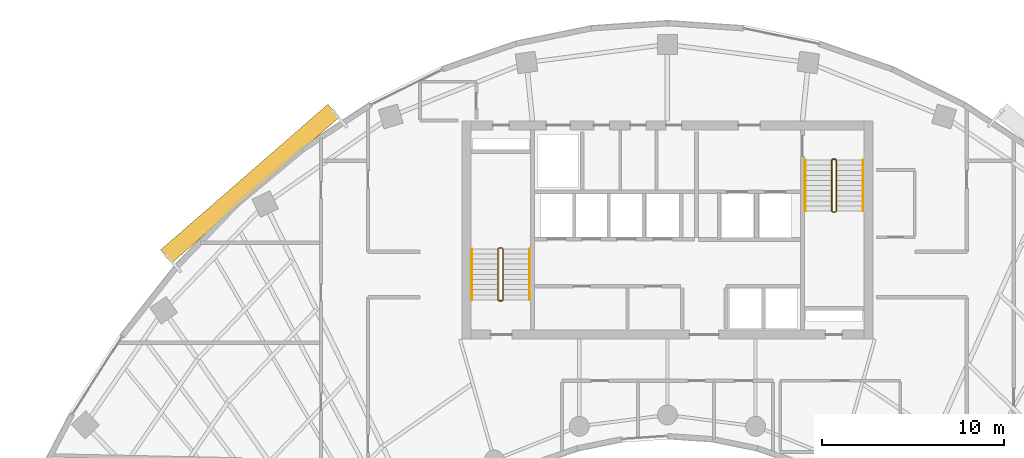
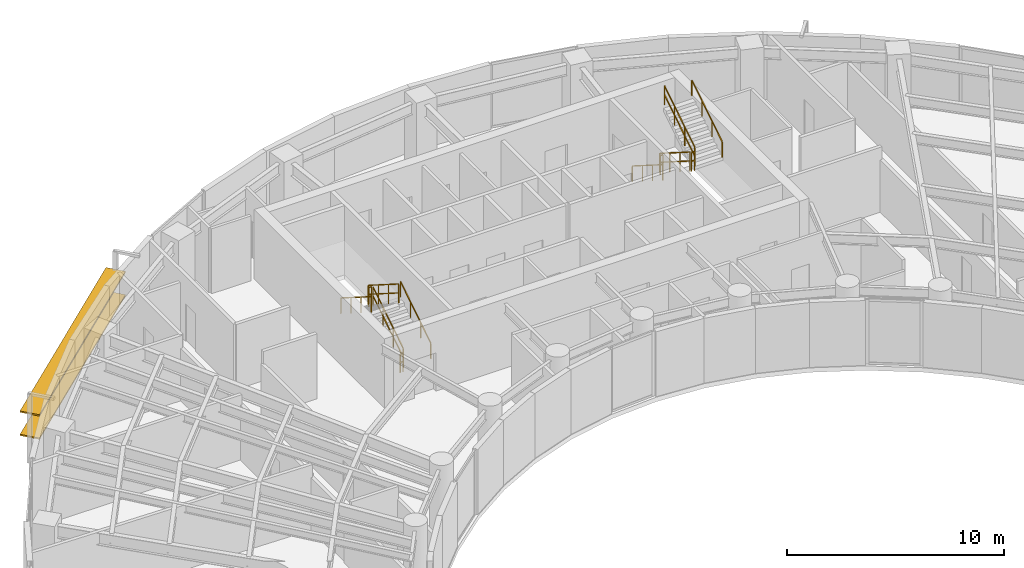
# One storey, part 12 of 13: 12 railings, 2 shading devices.
"""IFC4 building model written with IfcOpenShell, lengths in metres."""

from ifc_helpers import new_model, si_unit, direction, frame, origin, origin_2d, place, context, subcontext, project, spatial, rectangle, extrude, source, transform, mapped, material, material_profile, profile_set, type_object, type_shapes, element, save


model = new_model("IFC4")

# Units and contexts
model_context = context("Model", 3, precision=1e-05, world=origin(), true_north=direction((0.0, 1.0)))
body_context = subcontext(model_context, "Body", "Model", "MODEL_VIEW")
ifc_project = project(units=[si_unit("LENGTHUNIT", "METRE"), si_unit("AREAUNIT", "SQUARE_METRE"), si_unit("VOLUMEUNIT", "CUBIC_METRE"), si_unit("PLANEANGLEUNIT", "RADIAN"), si_unit("MASSUNIT", "GRAM", prefix="KILO")], contexts=[model_context])

# Site, building, storey
site_placement = place(None, origin())
site = spatial("IfcSite", under=ifc_project, at=site_placement, CompositionType="ELEMENT")
building_placement = place(site_placement, origin())
building = spatial("IfcBuilding", under=site, at=building_placement, Name="Breltana Convention Tower", CompositionType="ELEMENT")
storey_placement = place(building_placement, frame((0.0, 0.0, 174.0)))
storey = spatial("IfcBuildingStorey", under=building, at=storey_placement, Name="L42", CompositionType="ELEMENT", Elevation=174.0)

# Railings
ifc_material_1 = material(Name="Steel S275 Painted", Category="steel")
railing_type_1 = type_object("IfcRailingType", Name="RL-STAIR-GUARD-1100", PredefinedType="GUARDRAIL", material=ifc_material_1)
railing_1_placement = place(storey_placement, frame((38.9599609375, 62.360107421875, 0.17724609375)))
element("IfcRailing", 1, at=railing_1_placement, inside=storey, type_object=railing_type_1, Name="L42 ST-1 stair guard 1", PredefinedType="GUARDRAIL", context=body_context, shape_type="SweptSolid", body=[
    extrude(rectangle(XDim=0.048095703125, YDim=0.048095703125, at=origin_2d()), frame((0.0, 0.0, 1.076171875), z_axis=(0.0, 0.844887892834, 0.53494340686), x_axis=(-1.0, 0.0, 0.0)), (0.0, 0.0, 1.0), 3.313720703125),
    extrude(rectangle(XDim=0.048095703125, YDim=0.048095703125, at=origin_2d()), frame((0.0, 0.0, 0.572021484375), z_axis=(0.0, 0.844887892834, 0.53494340686), x_axis=(-1.0, 0.0, 0.0)), (0.0, 0.0, 1.0), 3.313720703125),
    extrude(rectangle(XDim=0.0419921875, YDim=0.0419921875, at=origin_2d()), origin(), (0.0, 0.0, 1.0), 1.052001953125),
    extrude(rectangle(XDim=0.0419921875, YDim=0.0419921875, at=origin_2d()), frame((0.0, 0.933349609375, 0.5908203125)), (0.0, 0.0, 1.0), 1.052001953125),
    extrude(rectangle(XDim=0.0419921875, YDim=0.0419921875, at=origin_2d()), frame((0.0, 1.866455078125, 1.181884765625)), (0.0, 0.0, 1.0), 1.052001953125),
    extrude(rectangle(XDim=0.0419921875, YDim=0.0419921875, at=origin_2d()), frame((0.0, 2.7998046875, 1.772705078125)), (0.0, 0.0, 1.0), 1.052001953125),
])
railing_2_placement = place(storey_placement, frame((38.909912109375, 65.2099609375, 1.949951171875)))
element("IfcRailing", 2, at=railing_2_placement, inside=storey, type_object=railing_type_1, Name="L42 ST-1 stair guard 2", PredefinedType="GUARDRAIL", context=body_context, shape_type="SweptSolid", body=[
    extrude(rectangle(XDim=0.048095703125, YDim=0.048095703125, at=origin_2d()), frame((0.0, 0.0, 1.076171875), z_axis=(-1.0, 0.0, 0.0), x_axis=(0.0, -1.0, 0.0)), (0.0, 0.0, 1.0), 0.14990234375),
    extrude(rectangle(XDim=0.048095703125, YDim=0.048095703125, at=origin_2d()), frame((0.0, 0.0, 0.572021484375), z_axis=(-1.0, 0.0, 0.0), x_axis=(0.0, -1.0, 0.0)), (0.0, 0.0, 1.0), 0.14990234375),
    extrude(rectangle(XDim=0.0419921875, YDim=0.0419921875, at=origin_2d()), origin(), (0.0, 0.0, 1.0), 1.052001953125),
    extrude(rectangle(XDim=0.0419921875, YDim=0.0419921875, at=origin_2d()), frame((-0.14990234375, 0.0, 0.0)), (0.0, 0.0, 1.0), 1.052001953125),
])
railing_3_placement = place(storey_placement, frame((38.7099609375, 65.159912109375, 2.127197265625)))
element("IfcRailing", 3, at=railing_3_placement, inside=storey, type_object=railing_type_1, Name="L42 ST-1 stair guard 3", PredefinedType="GUARDRAIL", context=body_context, shape_type="SweptSolid", body=[
    extrude(rectangle(XDim=0.048095703125, YDim=0.048095703125, at=origin_2d()), frame((0.0, 0.0, 1.076171875), z_axis=(0.0, -0.844887892834, 0.53494340686), x_axis=(1.0, 0.0, 0.0)), (0.0, 0.0, 1.0), 3.313720703125),
    extrude(rectangle(XDim=0.048095703125, YDim=0.048095703125, at=origin_2d()), frame((0.0, 0.0, 0.572021484375), z_axis=(0.0, -0.844887892834, 0.53494340686), x_axis=(1.0, 0.0, 0.0)), (0.0, 0.0, 1.0), 3.313720703125),
    extrude(rectangle(XDim=0.0419921875, YDim=0.0419921875, at=origin_2d()), origin(), (0.0, 0.0, 1.0), 1.052001953125),
    extrude(rectangle(XDim=0.0419921875, YDim=0.0419921875, at=origin_2d()), frame((0.0, -0.933349609375, 0.5908203125)), (0.0, 0.0, 1.0), 1.052001953125),
    extrude(rectangle(XDim=0.0419921875, YDim=0.0419921875, at=origin_2d()), frame((0.0, -1.866455078125, 1.181884765625)), (0.0, 0.0, 1.0), 1.052001953125),
    extrude(rectangle(XDim=0.0419921875, YDim=0.0419921875, at=origin_2d()), frame((0.0, -2.7998046875, 1.772705078125)), (0.0, 0.0, 1.0), 1.052001953125),
])
railing_4_placement = place(storey_placement, frame((38.909912109375, 62.31005859375, 0.0)))
element("IfcRailing", 4, at=railing_4_placement, inside=storey, type_object=railing_type_1, Name="L42 ST-1 stair guard 4", PredefinedType="GUARDRAIL", context=body_context, shape_type="SweptSolid", body=[
    extrude(rectangle(XDim=0.048095703125, YDim=0.048095703125, at=origin_2d()), frame((0.0, 0.0, 1.076171875), z_axis=(-1.0, 0.0, 0.0), x_axis=(0.0, -1.0, 0.0)), (0.0, 0.0, 1.0), 0.14990234375),
    extrude(rectangle(XDim=0.048095703125, YDim=0.048095703125, at=origin_2d()), frame((0.0, 0.0, 0.572021484375), z_axis=(-1.0, 0.0, 0.0), x_axis=(0.0, -1.0, 0.0)), (0.0, 0.0, 1.0), 0.14990234375),
    extrude(rectangle(XDim=0.0419921875, YDim=0.0419921875, at=origin_2d()), origin(), (0.0, 0.0, 1.0), 1.052001953125),
    extrude(rectangle(XDim=0.0419921875, YDim=0.0419921875, at=origin_2d()), frame((-0.14990234375, 0.0, 0.0)), (0.0, 0.0, 1.0), 1.052001953125),
])
railing_5_placement = place(storey_placement, frame((57.0400390625, 70.0400390625, 0.17724609375)))
element("IfcRailing", 5, at=railing_5_placement, inside=storey, type_object=railing_type_1, Name="L42 ST-2 stair guard 1", PredefinedType="GUARDRAIL", context=body_context, shape_type="SweptSolid", body=[
    extrude(rectangle(XDim=0.048095703125, YDim=0.048095703125, at=origin_2d()), frame((0.0, 0.0, 1.076171875), z_axis=(0.0, -0.844908973607, 0.534910110503), x_axis=(1.0, 0.0, 0.0)), (0.0, 0.0, 1.0), 3.31396484375),
    extrude(rectangle(XDim=0.048095703125, YDim=0.048095703125, at=origin_2d()), frame((0.0, 0.0, 0.572021484375), z_axis=(0.0, -0.844908973607, 0.534910110503), x_axis=(1.0, 0.0, 0.0)), (0.0, 0.0, 1.0), 3.31396484375),
    extrude(rectangle(XDim=0.0419921875, YDim=0.0419921875, at=origin_2d()), origin(), (0.0, 0.0, 1.0), 1.052001953125),
    extrude(rectangle(XDim=0.0419921875, YDim=0.0419921875, at=origin_2d()), frame((0.0, -0.933349609375, 0.5908203125)), (0.0, 0.0, 1.0), 1.052001953125),
    extrude(rectangle(XDim=0.0419921875, YDim=0.0419921875, at=origin_2d()), frame((0.0, -1.86669921875, 1.181884765625)), (0.0, 0.0, 1.0), 1.052001953125),
    extrude(rectangle(XDim=0.0419921875, YDim=0.0419921875, at=origin_2d()), frame((0.0, -2.800048828125, 1.772705078125)), (0.0, 0.0, 1.0), 1.052001953125),
])
railing_6_placement = place(storey_placement, frame((57.090087890625, 67.18994140625, 1.949951171875)))
element("IfcRailing", 6, at=railing_6_placement, inside=storey, type_object=railing_type_1, Name="L42 ST-2 stair guard 2", PredefinedType="GUARDRAIL", context=body_context, shape_type="SweptSolid", body=[
    extrude(rectangle(XDim=0.048095703125, YDim=0.048095703125, at=origin_2d()), frame((0.0, 0.0, 1.076171875), z_axis=(1.0, 0.0, 0.0), x_axis=(0.0, 1.0, 0.0)), (0.0, 0.0, 1.0), 0.14990234375),
    extrude(rectangle(XDim=0.048095703125, YDim=0.048095703125, at=origin_2d()), frame((0.0, 0.0, 0.572021484375), z_axis=(1.0, 0.0, 0.0), x_axis=(0.0, 1.0, 0.0)), (0.0, 0.0, 1.0), 0.14990234375),
    extrude(rectangle(XDim=0.0419921875, YDim=0.0419921875, at=origin_2d()), origin(), (0.0, 0.0, 1.0), 1.052001953125),
    extrude(rectangle(XDim=0.0419921875, YDim=0.0419921875, at=origin_2d()), frame((0.14990234375, 0.0, 0.0)), (0.0, 0.0, 1.0), 1.052001953125),
])
railing_7_placement = place(storey_placement, frame((57.2900390625, 67.239990234375, 2.127197265625)))
element("IfcRailing", 7, at=railing_7_placement, inside=storey, type_object=railing_type_1, Name="L42 ST-2 stair guard 3", PredefinedType="GUARDRAIL", context=body_context, shape_type="SweptSolid", body=[
    extrude(rectangle(XDim=0.048095703125, YDim=0.048095703125, at=origin_2d()), frame((0.0, 0.0, 1.076171875), z_axis=(0.0, 0.844908973607, 0.534910110503), x_axis=(-1.0, 0.0, 0.0)), (0.0, 0.0, 1.0), 3.31396484375),
    extrude(rectangle(XDim=0.048095703125, YDim=0.048095703125, at=origin_2d()), frame((0.0, 0.0, 0.572021484375), z_axis=(0.0, 0.844908973607, 0.534910110503), x_axis=(-1.0, 0.0, 0.0)), (0.0, 0.0, 1.0), 3.31396484375),
    extrude(rectangle(XDim=0.0419921875, YDim=0.0419921875, at=origin_2d()), origin(), (0.0, 0.0, 1.0), 1.052001953125),
    extrude(rectangle(XDim=0.0419921875, YDim=0.0419921875, at=origin_2d()), frame((0.0, 0.933349609375, 0.5908203125)), (0.0, 0.0, 1.0), 1.052001953125),
    extrude(rectangle(XDim=0.0419921875, YDim=0.0419921875, at=origin_2d()), frame((0.0, 1.86669921875, 1.181884765625)), (0.0, 0.0, 1.0), 1.052001953125),
    extrude(rectangle(XDim=0.0419921875, YDim=0.0419921875, at=origin_2d()), frame((0.0, 2.800048828125, 1.772705078125)), (0.0, 0.0, 1.0), 1.052001953125),
])
railing_8_placement = place(storey_placement, frame((57.090087890625, 70.090087890625, 0.0)))
element("IfcRailing", 8, at=railing_8_placement, inside=storey, type_object=railing_type_1, Name="L42 ST-2 stair guard 4", PredefinedType="GUARDRAIL", context=body_context, shape_type="SweptSolid", body=[
    extrude(rectangle(XDim=0.048095703125, YDim=0.048095703125, at=origin_2d()), frame((0.0, 0.0, 1.076171875), z_axis=(1.0, 0.0, 0.0), x_axis=(0.0, 1.0, 0.0)), (0.0, 0.0, 1.0), 0.14990234375),
    extrude(rectangle(XDim=0.048095703125, YDim=0.048095703125, at=origin_2d()), frame((0.0, 0.0, 0.572021484375), z_axis=(1.0, 0.0, 0.0), x_axis=(0.0, 1.0, 0.0)), (0.0, 0.0, 1.0), 0.14990234375),
    extrude(rectangle(XDim=0.0419921875, YDim=0.0419921875, at=origin_2d()), origin(), (0.0, 0.0, 1.0), 1.052001953125),
    extrude(rectangle(XDim=0.0419921875, YDim=0.0419921875, at=origin_2d()), frame((0.14990234375, 0.0, 0.0)), (0.0, 0.0, 1.0), 1.052001953125),
])
ifc_material_2 = material(Name="Stainless Steel 316L", Category="steel")
railing_type_2 = type_object("IfcRailingType", Name="RL-STAIR-HANDRAIL-900", PredefinedType="HANDRAIL", material=ifc_material_2)
railing_9_placement = place(storey_placement, frame((40.419921875, 62.360107421875, 0.17724609375)))
element("IfcRailing", 9, at=railing_9_placement, inside=storey, type_object=railing_type_2, Name="L42 ST-1 stair handrail 1", PredefinedType="HANDRAIL", context=body_context, shape_type="SweptSolid", body=[
    extrude(rectangle(XDim=0.048095703125, YDim=0.048095703125, at=origin_2d()), frame((0.0, 0.0, 0.8759765625), z_axis=(0.0, 0.844887892834, 0.53494340686), x_axis=(-1.0, 0.0, 0.0)), (0.0, 0.0, 1.0), 3.313720703125),
    extrude(rectangle(XDim=0.0419921875, YDim=0.0419921875, at=origin_2d()), origin(), (0.0, 0.0, 1.0), 0.851806640625),
    extrude(rectangle(XDim=0.0419921875, YDim=0.0419921875, at=origin_2d()), frame((0.0, 0.933349609375, 0.5908203125)), (0.0, 0.0, 1.0), 0.851806640625),
    extrude(rectangle(XDim=0.0419921875, YDim=0.0419921875, at=origin_2d()), frame((0.0, 1.866455078125, 1.181884765625)), (0.0, 0.0, 1.0), 0.851806640625),
    extrude(rectangle(XDim=0.0419921875, YDim=0.0419921875, at=origin_2d()), frame((0.0, 2.7998046875, 1.772705078125)), (0.0, 0.0, 1.0), 0.851806640625),
])
railing_10_placement = place(storey_placement, frame((37.25, 65.159912109375, 2.127197265625)))
element("IfcRailing", 10, at=railing_10_placement, inside=storey, type_object=railing_type_2, Name="L42 ST-1 stair handrail 2", PredefinedType="HANDRAIL", context=body_context, shape_type="SweptSolid", body=[
    extrude(rectangle(XDim=0.048095703125, YDim=0.048095703125, at=origin_2d()), frame((0.0, 0.0, 0.8759765625), z_axis=(0.0, -0.844887892834, 0.53494340686), x_axis=(1.0, 0.0, 0.0)), (0.0, 0.0, 1.0), 3.313720703125),
    extrude(rectangle(XDim=0.0419921875, YDim=0.0419921875, at=origin_2d()), origin(), (0.0, 0.0, 1.0), 0.851806640625),
    extrude(rectangle(XDim=0.0419921875, YDim=0.0419921875, at=origin_2d()), frame((0.0, -0.933349609375, 0.5908203125)), (0.0, 0.0, 1.0), 0.851806640625),
    extrude(rectangle(XDim=0.0419921875, YDim=0.0419921875, at=origin_2d()), frame((0.0, -1.866455078125, 1.181884765625)), (0.0, 0.0, 1.0), 0.851806640625),
    extrude(rectangle(XDim=0.0419921875, YDim=0.0419921875, at=origin_2d()), frame((0.0, -2.7998046875, 1.772705078125)), (0.0, 0.0, 1.0), 0.851806640625),
])
railing_11_placement = place(storey_placement, frame((55.580078125, 70.0400390625, 0.17724609375)))
element("IfcRailing", 11, at=railing_11_placement, inside=storey, type_object=railing_type_2, Name="L42 ST-2 stair handrail 1", PredefinedType="HANDRAIL", context=body_context, shape_type="SweptSolid", body=[
    extrude(rectangle(XDim=0.048095703125, YDim=0.048095703125, at=origin_2d()), frame((0.0, 0.0, 0.8759765625), z_axis=(0.0, -0.844908973607, 0.534910110503), x_axis=(1.0, 0.0, 0.0)), (0.0, 0.0, 1.0), 3.31396484375),
    extrude(rectangle(XDim=0.0419921875, YDim=0.0419921875, at=origin_2d()), origin(), (0.0, 0.0, 1.0), 0.851806640625),
    extrude(rectangle(XDim=0.0419921875, YDim=0.0419921875, at=origin_2d()), frame((0.0, -0.933349609375, 0.5908203125)), (0.0, 0.0, 1.0), 0.851806640625),
    extrude(rectangle(XDim=0.0419921875, YDim=0.0419921875, at=origin_2d()), frame((0.0, -1.86669921875, 1.181884765625)), (0.0, 0.0, 1.0), 0.851806640625),
    extrude(rectangle(XDim=0.0419921875, YDim=0.0419921875, at=origin_2d()), frame((0.0, -2.800048828125, 1.772705078125)), (0.0, 0.0, 1.0), 0.851806640625),
])
railing_12_placement = place(storey_placement, frame((58.75, 67.239990234375, 2.127197265625)))
element("IfcRailing", 12, at=railing_12_placement, inside=storey, type_object=railing_type_2, Name="L42 ST-2 stair handrail 2", PredefinedType="HANDRAIL", context=body_context, shape_type="SweptSolid", body=[
    extrude(rectangle(XDim=0.048095703125, YDim=0.048095703125, at=origin_2d()), frame((0.0, 0.0, 0.8759765625), z_axis=(0.0, 0.844908973607, 0.534910110503), x_axis=(-1.0, 0.0, 0.0)), (0.0, 0.0, 1.0), 3.31396484375),
    extrude(rectangle(XDim=0.0419921875, YDim=0.0419921875, at=origin_2d()), origin(), (0.0, 0.0, 1.0), 0.851806640625),
    extrude(rectangle(XDim=0.0419921875, YDim=0.0419921875, at=origin_2d()), frame((0.0, 0.933349609375, 0.5908203125)), (0.0, 0.0, 1.0), 0.851806640625),
    extrude(rectangle(XDim=0.0419921875, YDim=0.0419921875, at=origin_2d()), frame((0.0, 1.86669921875, 1.181884765625)), (0.0, 0.0, 1.0), 0.851806640625),
    extrude(rectangle(XDim=0.0419921875, YDim=0.0419921875, at=origin_2d()), frame((0.0, 2.800048828125, 1.772705078125)), (0.0, 0.0, 1.0), 0.851806640625),
])

# Shading devices
ifc_material_3 = material(Name="Limestone Warm Buff Honed", Category="masonry")
ifc_material_profile = material_profile(ifc_material_3, rectangle(XDim=0.949951171875, YDim=0.080078125, at=origin_2d()), Name="STN-LVR-950X80")
ifc_profile_set = profile_set([ifc_material_profile], Name="Limestone Warm Buff Honed")
shading_device_type = type_object("IfcShadingDeviceType", Name="SHD-OUTER-SKIN-LIMESTONE-950", PredefinedType="JALOUSIE", material=ifc_profile_set)
shared_shape = source(origin(), body_context, "Body", "SweptSolid", [
    extrude(rectangle(XDim=0.949951171875, YDim=0.080078125, at=origin_2d()), origin(), (0.0, 0.0, 1.0), 12.1943359375),
])
type_shapes(shading_device_type, [shared_shape])
for number, where, z_axis, x_axis, name in (
    (13, (20.451904296875, 64.74951171875, 1.31396484375), (0.754361083307, 0.656459713914, 0.0), (-0.656459713914, 0.754361083307, 0.0), "L42 outer skin warm limestone louvre 1.1"),
    (14, (20.451904296875, 64.74951171875, 2.6279296875), (0.754361083307, 0.656459713914, 0.0), (-0.656459713914, 0.754361083307, 0.0), "L42 outer skin warm limestone louvre 1.2"),
):
    element("IfcShadingDevice", number, at=place(storey_placement, frame(where, z_axis=z_axis, x_axis=x_axis)), inside=storey, type_object=shading_device_type, Name=name, PredefinedType="JALOUSIE", context=body_context, shape_type="MappedRepresentation", body=[
        mapped(shared_shape, transform((0.0, 0.0, 0.0), scale=1.0)),
    ])

save(model, "model.ifc")
